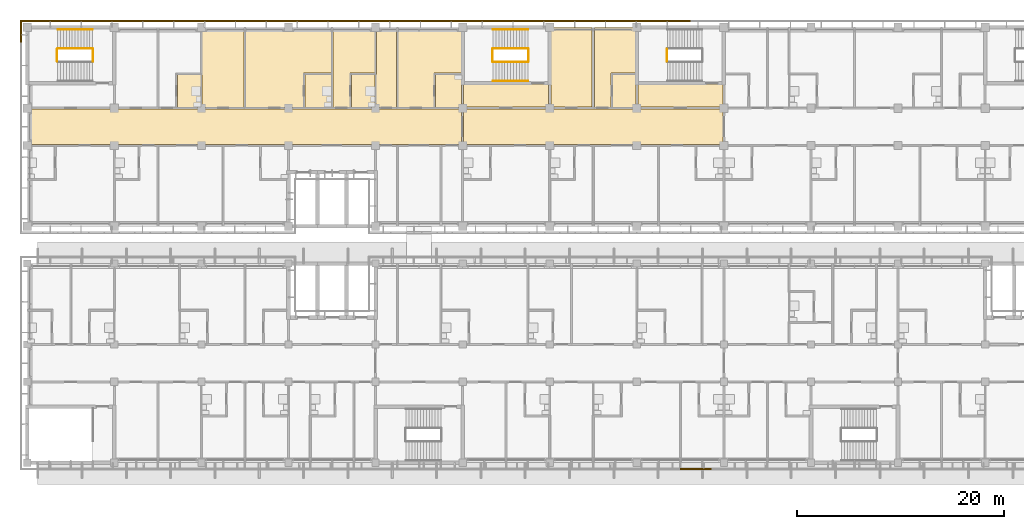
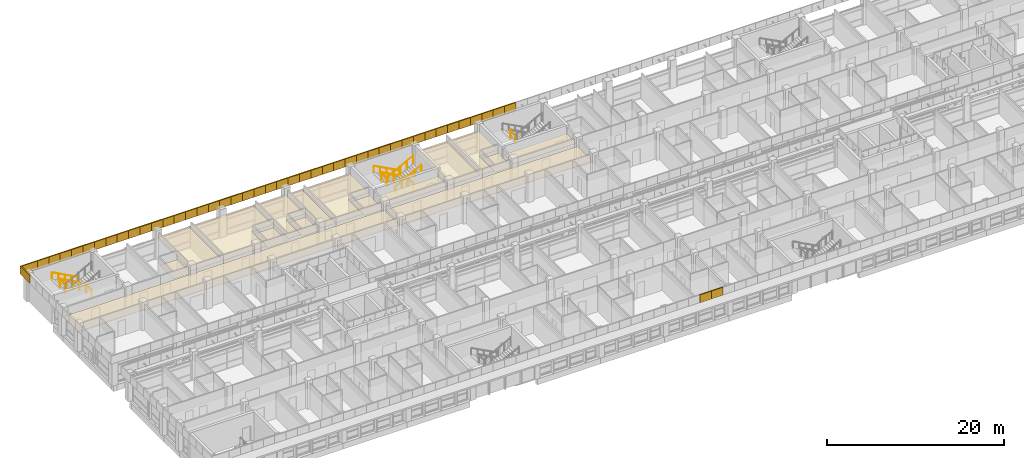
# One storey, part 65 of 71: 62 coverings, 11 railings.
"""IFC4 building model written with IfcOpenShell, lengths in metres."""

from ifc_helpers import new_model, si_unit, direction, frame, origin, origin_2d, place, context, subcontext, project, spatial, polyline, circle, outline, extrude, material, layer, layer_set, type_object, element, save


model = new_model("IFC4")

# Units and contexts
model_context = context("Model", 3, precision=1e-05, world=origin(), true_north=direction((0.0, 1.0)))
body_context = subcontext(model_context, "Body", "Model", "MODEL_VIEW")
ifc_project = project(units=[si_unit("LENGTHUNIT", "METRE"), si_unit("AREAUNIT", "SQUARE_METRE"), si_unit("VOLUMEUNIT", "CUBIC_METRE"), si_unit("PLANEANGLEUNIT", "RADIAN"), si_unit("MASSUNIT", "GRAM", prefix="KILO")], contexts=[model_context])

# Site, building, storey
site_placement = place(None, origin())
site = spatial("IfcSite", under=ifc_project, at=site_placement, CompositionType="ELEMENT")
building_placement = place(site_placement, origin())
building = spatial("IfcBuilding", under=site, at=building_placement, Name="Bougainvillea Quay General Hospital", CompositionType="ELEMENT")
storey_placement = place(building_placement, frame((0.0, 0.0, 24.89990234375)))
storey = spatial("IfcBuildingStorey", under=building, at=storey_placement, Name="L05", CompositionType="ELEMENT", Elevation=24.89990234375)

# Coverings
ifc_material_1 = material(Name="Powder-coated aluminium fascia, white", Category="aluminium")
ifc_layer_1 = layer(ifc_material_1, 0.14990234375)
ifc_layer_set_1 = layer_set([ifc_layer_1], Name="Powder-coated aluminium fascia, white")
covering_type_1 = type_object("IfcCoveringType", Name="Aluminium fascia band white 150x1100", PredefinedType="CLADDING", material=ifc_layer_set_1)
covering_1_placement = place(storey_placement, frame((105.96240234375, 160.14990234375, 3.35009765625), z_axis=(0.0, 0.0, 1.0), x_axis=(-1.0, 0.0, 0.0)))
element("IfcCovering", 1, at=covering_1_placement, inside=storey, type_object=covering_type_1, Name="Fascia band white e0 54", PredefinedType="CLADDING", context=body_context, shape_type="SweptSolid", body=[
    extrude(outline(polyline([(0.0, 0.0), (1.4873046875, 0.0), (1.4873046875, -0.150146484375), (0.0, -0.150146484375), (0.0, 0.0)])), origin(), (0.0, 0.0, 1.0), 1.10009765625),
])
for number, where, z_axis, x_axis, name in (
    (2, (104.47509765625, 160.14990234375, 3.35009765625), (0.0, 0.0, 1.0), (-1.0, 0.0, 0.0), "Fascia band white e0 55"),
    (3, (102.987548828125, 160.14990234375, 3.35009765625), (0.0, 0.0, 1.0), (-1.0, 0.0, 0.0), "Fascia band white e0 56"),
    (4, (101.5, 160.14990234375, 3.35009765625), (0.0, 0.0, 1.0), (-1.0, 0.0, 0.0), "Fascia band white e0 57"),
    (5, (100.012451171875, 160.14990234375, 3.35009765625), (0.0, 0.0, 1.0), (-1.0, 0.0, 0.0), "Fascia band white e0 58"),
):
    element("IfcCovering", number, at=place(storey_placement, frame(where, z_axis=z_axis, x_axis=x_axis)), inside=storey, type_object=covering_type_1, Name=name, PredefinedType="CLADDING", context=body_context, shape_type="SweptSolid", body=[
        extrude(outline(polyline([(0.0, 0.0), (1.487548828125, 0.0), (1.487548828125, -0.150146484375), (0.0, -0.150146484375), (0.0, 0.0)])), origin(), (0.0, 0.0, 1.0), 1.10009765625),
    ])
covering_2_placement = place(storey_placement, frame((98.52490234375, 160.14990234375, 3.35009765625), z_axis=(0.0, 0.0, 1.0), x_axis=(-1.0, 0.0, 0.0)))
element("IfcCovering", 6, at=covering_2_placement, inside=storey, type_object=covering_type_1, Name="Fascia band white e0 59", PredefinedType="CLADDING", context=body_context, shape_type="SweptSolid", body=[
    extrude(outline(polyline([(0.0, 0.0), (1.4873046875, 0.0), (1.4873046875, -0.150146484375), (0.0, -0.150146484375), (0.0, 0.0)])), origin(), (0.0, 0.0, 1.0), 1.10009765625),
])
for number, where, z_axis, x_axis, name in (
    (7, (97.03759765625, 160.14990234375, 3.35009765625), (0.0, 0.0, 1.0), (-1.0, 0.0, 0.0), "Fascia band white e0 60"),
    (8, (95.550048828125, 160.14990234375, 3.35009765625), (0.0, 0.0, 1.0), (-1.0, 0.0, 0.0), "Fascia band white e0 61"),
    (9, (94.0625, 160.14990234375, 3.35009765625), (0.0, 0.0, 1.0), (-1.0, 0.0, 0.0), "Fascia band white e0 62"),
    (10, (92.574951171875, 160.14990234375, 3.35009765625), (0.0, 0.0, 1.0), (-1.0, 0.0, 0.0), "Fascia band white e0 63"),
):
    element("IfcCovering", number, at=place(storey_placement, frame(where, z_axis=z_axis, x_axis=x_axis)), inside=storey, type_object=covering_type_1, Name=name, PredefinedType="CLADDING", context=body_context, shape_type="SweptSolid", body=[
        extrude(outline(polyline([(0.0, 0.0), (1.487548828125, 0.0), (1.487548828125, -0.150146484375), (0.0, -0.150146484375), (0.0, 0.0)])), origin(), (0.0, 0.0, 1.0), 1.10009765625),
    ])
covering_3_placement = place(storey_placement, frame((91.08740234375, 160.14990234375, 3.35009765625), z_axis=(0.0, 0.0, 1.0), x_axis=(-1.0, 0.0, 0.0)))
element("IfcCovering", 11, at=covering_3_placement, inside=storey, type_object=covering_type_1, Name="Fascia band white e0 64", PredefinedType="CLADDING", context=body_context, shape_type="SweptSolid", body=[
    extrude(outline(polyline([(0.0, 0.0), (1.4873046875, 0.0), (1.4873046875, -0.150146484375), (0.0, -0.150146484375), (0.0, 0.0)])), origin(), (0.0, 0.0, 1.0), 1.10009765625),
])
for number, where, z_axis, x_axis, name in (
    (12, (89.60009765625, 160.14990234375, 3.35009765625), (0.0, 0.0, 1.0), (-1.0, 0.0, 0.0), "Fascia band white e0 65"),
    (13, (88.112548828125, 160.14990234375, 3.35009765625), (0.0, 0.0, 1.0), (-1.0, 0.0, 0.0), "Fascia band white e0 66"),
    (14, (86.625, 160.14990234375, 3.35009765625), (0.0, 0.0, 1.0), (-1.0, 0.0, 0.0), "Fascia band white e0 67"),
    (15, (85.137451171875, 160.14990234375, 3.35009765625), (0.0, 0.0, 1.0), (-1.0, 0.0, 0.0), "Fascia band white e0 68"),
):
    element("IfcCovering", number, at=place(storey_placement, frame(where, z_axis=z_axis, x_axis=x_axis)), inside=storey, type_object=covering_type_1, Name=name, PredefinedType="CLADDING", context=body_context, shape_type="SweptSolid", body=[
        extrude(outline(polyline([(0.0, 0.0), (1.487548828125, 0.0), (1.487548828125, -0.150146484375), (0.0, -0.150146484375), (0.0, 0.0)])), origin(), (0.0, 0.0, 1.0), 1.10009765625),
    ])
covering_4_placement = place(storey_placement, frame((83.64990234375, 160.14990234375, 3.35009765625), z_axis=(0.0, 0.0, 1.0), x_axis=(-1.0, 0.0, 0.0)))
element("IfcCovering", 16, at=covering_4_placement, inside=storey, type_object=covering_type_1, Name="Fascia band white e0 69", PredefinedType="CLADDING", context=body_context, shape_type="SweptSolid", body=[
    extrude(outline(polyline([(0.0, 0.0), (1.4873046875, 0.0), (1.4873046875, -0.150146484375), (0.0, -0.150146484375), (0.0, 0.0)])), origin(), (0.0, 0.0, 1.0), 1.10009765625),
])
for number, where, z_axis, x_axis, name in (
    (17, (82.16259765625, 160.14990234375, 3.35009765625), (0.0, 0.0, 1.0), (-1.0, 0.0, 0.0), "Fascia band white e0 70"),
    (18, (80.675048828125, 160.14990234375, 3.35009765625), (0.0, 0.0, 1.0), (-1.0, 0.0, 0.0), "Fascia band white e0 71"),
    (19, (79.1875, 160.14990234375, 3.35009765625), (0.0, 0.0, 1.0), (-1.0, 0.0, 0.0), "Fascia band white e0 72"),
    (20, (77.699951171875, 160.14990234375, 3.35009765625), (0.0, 0.0, 1.0), (-1.0, 0.0, 0.0), "Fascia band white e0 73"),
):
    element("IfcCovering", number, at=place(storey_placement, frame(where, z_axis=z_axis, x_axis=x_axis)), inside=storey, type_object=covering_type_1, Name=name, PredefinedType="CLADDING", context=body_context, shape_type="SweptSolid", body=[
        extrude(outline(polyline([(0.0, 0.0), (1.487548828125, 0.0), (1.487548828125, -0.150146484375), (0.0, -0.150146484375), (0.0, 0.0)])), origin(), (0.0, 0.0, 1.0), 1.10009765625),
    ])
covering_5_placement = place(storey_placement, frame((76.21240234375, 160.14990234375, 3.35009765625), z_axis=(0.0, 0.0, 1.0), x_axis=(-1.0, 0.0, 0.0)))
element("IfcCovering", 21, at=covering_5_placement, inside=storey, type_object=covering_type_1, Name="Fascia band white e0 74", PredefinedType="CLADDING", context=body_context, shape_type="SweptSolid", body=[
    extrude(outline(polyline([(0.0, 0.0), (1.4873046875, 0.0), (1.4873046875, -0.150146484375), (0.0, -0.150146484375), (0.0, 0.0)])), origin(), (0.0, 0.0, 1.0), 1.10009765625),
])
for number, where, z_axis, x_axis, name in (
    (22, (74.72509765625, 160.14990234375, 3.35009765625), (0.0, 0.0, 1.0), (-1.0, 0.0, 0.0), "Fascia band white e0 75"),
    (23, (73.237548828125, 160.14990234375, 3.35009765625), (0.0, 0.0, 1.0), (-1.0, 0.0, 0.0), "Fascia band white e0 76"),
    (24, (71.75, 160.14990234375, 3.35009765625), (0.0, 0.0, 1.0), (-1.0, 0.0, 0.0), "Fascia band white e0 77"),
    (25, (70.262451171875, 160.14990234375, 3.35009765625), (0.0, 0.0, 1.0), (-1.0, 0.0, 0.0), "Fascia band white e0 78"),
):
    element("IfcCovering", number, at=place(storey_placement, frame(where, z_axis=z_axis, x_axis=x_axis)), inside=storey, type_object=covering_type_1, Name=name, PredefinedType="CLADDING", context=body_context, shape_type="SweptSolid", body=[
        extrude(outline(polyline([(0.0, 0.0), (1.487548828125, 0.0), (1.487548828125, -0.150146484375), (0.0, -0.150146484375), (0.0, 0.0)])), origin(), (0.0, 0.0, 1.0), 1.10009765625),
    ])
covering_6_placement = place(storey_placement, frame((68.77490234375, 160.14990234375, 3.35009765625), z_axis=(0.0, 0.0, 1.0), x_axis=(-1.0, 0.0, 0.0)))
element("IfcCovering", 26, at=covering_6_placement, inside=storey, type_object=covering_type_1, Name="Fascia band white e0 79", PredefinedType="CLADDING", context=body_context, shape_type="SweptSolid", body=[
    extrude(outline(polyline([(0.0, 0.0), (1.4873046875, 0.0), (1.4873046875, -0.150146484375), (0.0, -0.150146484375), (0.0, 0.0)])), origin(), (0.0, 0.0, 1.0), 1.10009765625),
])
for number, where, z_axis, x_axis, name in (
    (27, (67.28759765625, 160.14990234375, 3.35009765625), (0.0, 0.0, 1.0), (-1.0, 0.0, 0.0), "Fascia band white e0 80"),
    (28, (65.800048828125, 160.14990234375, 3.35009765625), (0.0, 0.0, 1.0), (-1.0, 0.0, 0.0), "Fascia band white e0 81"),
    (29, (64.3125, 160.14990234375, 3.35009765625), (0.0, 0.0, 1.0), (-1.0, 0.0, 0.0), "Fascia band white e0 82"),
    (30, (62.824951171875, 160.14990234375, 3.35009765625), (0.0, 0.0, 1.0), (-1.0, 0.0, 0.0), "Fascia band white e0 83"),
):
    element("IfcCovering", number, at=place(storey_placement, frame(where, z_axis=z_axis, x_axis=x_axis)), inside=storey, type_object=covering_type_1, Name=name, PredefinedType="CLADDING", context=body_context, shape_type="SweptSolid", body=[
        extrude(outline(polyline([(0.0, 0.0), (1.487548828125, 0.0), (1.487548828125, -0.150146484375), (0.0, -0.150146484375), (0.0, 0.0)])), origin(), (0.0, 0.0, 1.0), 1.10009765625),
    ])
covering_7_placement = place(storey_placement, frame((61.33740234375, 160.14990234375, 3.35009765625), z_axis=(0.0, 0.0, 1.0), x_axis=(-1.0, 0.0, 0.0)))
element("IfcCovering", 31, at=covering_7_placement, inside=storey, type_object=covering_type_1, Name="Fascia band white e0 84", PredefinedType="CLADDING", context=body_context, shape_type="SweptSolid", body=[
    extrude(outline(polyline([(0.0, 0.0), (1.4873046875, 0.0), (1.4873046875, -0.150146484375), (0.0, -0.150146484375), (0.0, 0.0)])), origin(), (0.0, 0.0, 1.0), 1.10009765625),
])
for number, where, z_axis, x_axis, name in (
    (32, (59.85009765625, 160.14990234375, 3.35009765625), (0.0, 0.0, 1.0), (-1.0, 0.0, 0.0), "Fascia band white e0 85"),
    (33, (58.362548828125, 160.14990234375, 3.35009765625), (0.0, 0.0, 1.0), (-1.0, 0.0, 0.0), "Fascia band white e0 86"),
    (34, (56.875, 160.14990234375, 3.35009765625), (0.0, 0.0, 1.0), (-1.0, 0.0, 0.0), "Fascia band white e0 87"),
    (35, (55.387451171875, 160.14990234375, 3.35009765625), (0.0, 0.0, 1.0), (-1.0, 0.0, 0.0), "Fascia band white e0 88"),
):
    element("IfcCovering", number, at=place(storey_placement, frame(where, z_axis=z_axis, x_axis=x_axis)), inside=storey, type_object=covering_type_1, Name=name, PredefinedType="CLADDING", context=body_context, shape_type="SweptSolid", body=[
        extrude(outline(polyline([(0.0, 0.0), (1.487548828125, 0.0), (1.487548828125, -0.150146484375), (0.0, -0.150146484375), (0.0, 0.0)])), origin(), (0.0, 0.0, 1.0), 1.10009765625),
    ])
covering_8_placement = place(storey_placement, frame((53.89990234375, 160.14990234375, 3.35009765625), z_axis=(0.0, 0.0, 1.0), x_axis=(-1.0, 0.0, 0.0)))
element("IfcCovering", 36, at=covering_8_placement, inside=storey, type_object=covering_type_1, Name="Fascia band white e0 89", PredefinedType="CLADDING", context=body_context, shape_type="SweptSolid", body=[
    extrude(outline(polyline([(0.0, 0.0), (1.4873046875, 0.0), (1.4873046875, -0.150146484375), (0.0, -0.150146484375), (0.0, 0.0)])), origin(), (0.0, 0.0, 1.0), 1.10009765625),
])
for number, where, z_axis, x_axis, name in (
    (37, (52.41259765625, 160.14990234375, 3.35009765625), (0.0, 0.0, 1.0), (-1.0, 0.0, 0.0), "Fascia band white e0 90"),
    (38, (50.925048828125, 160.14990234375, 3.35009765625), (0.0, 0.0, 1.0), (-1.0, 0.0, 0.0), "Fascia band white e0 91"),
    (39, (49.4375, 160.14990234375, 3.35009765625), (0.0, 0.0, 1.0), (-1.0, 0.0, 0.0), "Fascia band white e0 92"),
    (40, (47.949951171875, 160.14990234375, 3.35009765625), (0.0, 0.0, 1.0), (-1.0, 0.0, 0.0), "Fascia band white e0 93"),
):
    element("IfcCovering", number, at=place(storey_placement, frame(where, z_axis=z_axis, x_axis=x_axis)), inside=storey, type_object=covering_type_1, Name=name, PredefinedType="CLADDING", context=body_context, shape_type="SweptSolid", body=[
        extrude(outline(polyline([(0.0, 0.0), (1.487548828125, 0.0), (1.487548828125, -0.150146484375), (0.0, -0.150146484375), (0.0, 0.0)])), origin(), (0.0, 0.0, 1.0), 1.10009765625),
    ])
covering_9_placement = place(storey_placement, frame((46.46240234375, 160.14990234375, 3.35009765625), z_axis=(0.0, 0.0, 1.0), x_axis=(-1.0, 0.0, 0.0)))
element("IfcCovering", 41, at=covering_9_placement, inside=storey, type_object=covering_type_1, Name="Fascia band white e0 94", PredefinedType="CLADDING", context=body_context, shape_type="SweptSolid", body=[
    extrude(outline(polyline([(0.0, 0.0), (1.4873046875, 0.0), (1.4873046875, -0.150146484375), (0.0, -0.150146484375), (0.0, 0.0)])), origin(), (0.0, 0.0, 1.0), 1.10009765625),
])
covering_10_placement = place(storey_placement, frame((44.97509765625, 160.14990234375, 3.35009765625), z_axis=(0.0, 0.0, 1.0), x_axis=(-1.0, 0.0, 0.0)))
element("IfcCovering", 42, at=covering_10_placement, inside=storey, type_object=covering_type_1, Name="Fascia band white e0 95", PredefinedType="CLADDING", context=body_context, shape_type="SweptSolid", body=[
    extrude(outline(polyline([(0.0, 0.0), (1.487548828125, 0.0), (1.487548828125, -0.150146484375), (0.0, -0.150146484375), (0.0, 0.0)])), origin(), (0.0, 0.0, 1.0), 1.10009765625),
])
covering_11_placement = place(storey_placement, frame((43.487548828125, 160.14990234375, 3.35009765625), z_axis=(0.0, 0.0, 1.0), x_axis=(-1.0, 0.0, 0.0)))
element("IfcCovering", 43, at=covering_11_placement, inside=storey, type_object=covering_type_1, Name="Fascia band white e0 96", PredefinedType="CLADDING", context=body_context, shape_type="SweptSolid", body=[
    extrude(outline(polyline([(0.0, 0.0), (2.03759765625, 0.0), (2.1875, -0.150146484375), (0.0, -0.150146484375), (0.0, 0.0)])), origin(), (0.0, 0.0, 1.0), 1.10009765625),
])
covering_12_placement = place(storey_placement, frame((41.449951171875, 160.14990234375, 3.35009765625), z_axis=(0.0, 0.0, 1.0), x_axis=(0.0, -1.0, 0.0)))
element("IfcCovering", 44, at=covering_12_placement, inside=storey, type_object=covering_type_1, Name="Fascia band white e0 97", PredefinedType="CLADDING", context=body_context, shape_type="SweptSolid", body=[
    extrude(outline(polyline([(0.0, 0.0), (2.02685546875, 0.0), (2.02685546875, -0.14990234375), (-0.150146484375, -0.14990234375), (0.0, 0.0)])), origin(), (0.0, 0.0, 1.0), 1.10009765625),
])
for number, where, z_axis, x_axis, name in (
    (45, (105.0, 117.050048828125, 3.35009765625), (0.0, 0.0, 1.0), (1.0, 0.0, 0.0), "Fascia band white e0 56"),
    (46, (106.5, 117.050048828125, 3.35009765625), (0.0, 0.0, 1.0), (1.0, 0.0, 0.0), "Fascia band white e0 57"),
):
    element("IfcCovering", number, at=place(storey_placement, frame(where, z_axis=z_axis, x_axis=x_axis)), inside=storey, type_object=covering_type_1, Name=name, PredefinedType="CLADDING", context=body_context, shape_type="SweptSolid", body=[
        extrude(outline(polyline([(0.0, 0.0), (1.5, 0.0), (1.5, -0.150146484375), (0.0, -0.150146484375), (0.0, 0.0)])), origin(), (0.0, 0.0, 1.0), 1.10009765625),
    ])

# Railings
ifc_material_2 = material(Name="Stainless steel 304 balustrade", Category="steel")
railing_type_1 = type_object("IfcRailingType", Name="Stair guard 1100", PredefinedType="GUARDRAIL", material=ifc_material_2)
railing_1_placement = place(storey_placement, frame((48.300048828125, 157.550048828125, 0.150146484375)))
element("IfcRailing", 47, at=railing_1_placement, inside=storey, type_object=railing_type_1, Name="L05 ST-A1 stair guard 1", PredefinedType="GUARDRAIL", context=body_context, shape_type="SweptSolid", body=[
    extrude(circle(Radius=0.02392578125, at=origin_2d()), frame((0.0, 0.0, 1.076171875), z_axis=(-0.881480922165, 0.0, 0.47221963519), x_axis=(0.0, -1.0, 0.0)), (0.0, 0.0, 1.0), 3.811767578125),
    extrude(circle(Radius=0.02099609375, at=origin_2d()), origin(), (0.0, 0.0, 1.0), 1.052001953125),
    extrude(circle(Radius=0.02099609375, at=origin_2d()), frame((-0.840087890625, 0.0, 0.449951171875)), (0.0, 0.0, 1.0), 1.052001953125),
    extrude(circle(Radius=0.02099609375, at=origin_2d()), frame((-1.68017578125, 0.0, 0.89990234375)), (0.0, 0.0, 1.0), 1.052001953125),
    extrude(circle(Radius=0.02099609375, at=origin_2d()), frame((-2.52001953125, 0.0, 1.35009765625)), (0.0, 0.0, 1.0), 1.052001953125),
    extrude(circle(Radius=0.02099609375, at=origin_2d()), frame((-3.360107421875, 0.0, 1.800048828125)), (0.0, 0.0, 1.0), 1.052001953125),
])
for number, where, name in (
    (48, (44.889892578125, 157.5, 1.9501953125), "L05 ST-A1 stair guard 2"),
    (49, (48.35009765625, 157.5, 0.0), "L05 ST-A1 stair guard 4"),
):
    element("IfcRailing", number, at=place(storey_placement, frame(where)), inside=storey, type_object=railing_type_1, Name=name, PredefinedType="GUARDRAIL", context=body_context, shape_type="SweptSolid", body=[
        extrude(circle(Radius=0.02392578125, at=origin_2d()), frame((0.0, 0.0, 1.076171875), z_axis=(0.0, -1.0, 0.0), x_axis=(1.0, 0.0, 0.0)), (0.0, 0.0, 1.0), 1.199951171875),
        extrude(circle(Radius=0.02099609375, at=origin_2d()), origin(), (0.0, 0.0, 1.0), 1.052001953125),
        extrude(circle(Radius=0.02099609375, at=origin_2d()), frame((0.0, -1.199951171875, 0.0)), (0.0, 0.0, 1.0), 1.052001953125),
    ])
railing_2_placement = place(storey_placement, frame((90.300048828125, 157.550048828125, 0.150146484375)))
element("IfcRailing", 50, at=railing_2_placement, inside=storey, type_object=railing_type_1, Name="L05 ST-A2 stair guard 1", PredefinedType="GUARDRAIL", context=body_context, shape_type="SweptSolid", body=[
    extrude(circle(Radius=0.02392578125, at=origin_2d()), frame((0.0, 0.0, 1.076171875), z_axis=(-0.881480922165, 0.0, 0.47221963519), x_axis=(0.0, -1.0, 0.0)), (0.0, 0.0, 1.0), 3.811767578125),
    extrude(circle(Radius=0.02099609375, at=origin_2d()), origin(), (0.0, 0.0, 1.0), 1.052001953125),
    extrude(circle(Radius=0.02099609375, at=origin_2d()), frame((-0.840087890625, 0.0, 0.449951171875)), (0.0, 0.0, 1.0), 1.052001953125),
    extrude(circle(Radius=0.02099609375, at=origin_2d()), frame((-1.68017578125, 0.0, 0.89990234375)), (0.0, 0.0, 1.0), 1.052001953125),
    extrude(circle(Radius=0.02099609375, at=origin_2d()), frame((-2.52001953125, 0.0, 1.35009765625)), (0.0, 0.0, 1.0), 1.052001953125),
    extrude(circle(Radius=0.02099609375, at=origin_2d()), frame((-3.360107421875, 0.0, 1.800048828125)), (0.0, 0.0, 1.0), 1.052001953125),
])
railing_3_placement = place(storey_placement, frame((86.889892578125, 157.5, 1.9501953125)))
element("IfcRailing", 51, at=railing_3_placement, inside=storey, type_object=railing_type_1, Name="L05 ST-A2 stair guard 2", PredefinedType="GUARDRAIL", context=body_context, shape_type="SweptSolid", body=[
    extrude(circle(Radius=0.02392578125, at=origin_2d()), frame((0.0, 0.0, 1.076171875), z_axis=(0.0, -1.0, 0.0), x_axis=(1.0, 0.0, 0.0)), (0.0, 0.0, 1.0), 1.199951171875),
    extrude(circle(Radius=0.02099609375, at=origin_2d()), origin(), (0.0, 0.0, 1.0), 1.052001953125),
    extrude(circle(Radius=0.02099609375, at=origin_2d()), frame((0.0, -1.199951171875, 0.0)), (0.0, 0.0, 1.0), 1.052001953125),
])
railing_4_placement = place(storey_placement, frame((86.93994140625, 156.25, 2.10009765625)))
element("IfcRailing", 52, at=railing_4_placement, inside=storey, type_object=railing_type_1, Name="L05 ST-A2 stair guard 3", PredefinedType="GUARDRAIL", context=body_context, shape_type="SweptSolid", body=[
    extrude(circle(Radius=0.02392578125, at=origin_2d()), frame((0.0, 0.0, 1.076171875), z_axis=(0.881480922165, 0.0, 0.47221963519), x_axis=(0.0, 1.0, 0.0)), (0.0, 0.0, 1.0), 3.811767578125),
    extrude(circle(Radius=0.02099609375, at=origin_2d()), origin(), (0.0, 0.0, 1.0), 1.052001953125),
    extrude(circle(Radius=0.02099609375, at=origin_2d()), frame((0.840087890625, 0.0, 0.449951171875)), (0.0, 0.0, 1.0), 1.052001953125),
    extrude(circle(Radius=0.02099609375, at=origin_2d()), frame((1.68017578125, 0.0, 0.89990234375)), (0.0, 0.0, 1.0), 1.052001953125),
    extrude(circle(Radius=0.02099609375, at=origin_2d()), frame((2.52001953125, 0.0, 1.35009765625)), (0.0, 0.0, 1.0), 1.052001953125),
    extrude(circle(Radius=0.02099609375, at=origin_2d()), frame((3.360107421875, 0.0, 1.800048828125)), (0.0, 0.0, 1.0), 1.052001953125),
])
for number, where, name in (
    (53, (90.35009765625, 157.5, 0.0), "L05 ST-A2 stair guard 4"),
    (54, (103.68994140625, 157.5, 1.9501953125), "L05 ST-A5 stair guard 2"),
):
    element("IfcRailing", number, at=place(storey_placement, frame(where)), inside=storey, type_object=railing_type_1, Name=name, PredefinedType="GUARDRAIL", context=body_context, shape_type="SweptSolid", body=[
        extrude(circle(Radius=0.02392578125, at=origin_2d()), frame((0.0, 0.0, 1.076171875), z_axis=(0.0, -1.0, 0.0), x_axis=(1.0, 0.0, 0.0)), (0.0, 0.0, 1.0), 1.199951171875),
        extrude(circle(Radius=0.02099609375, at=origin_2d()), origin(), (0.0, 0.0, 1.0), 1.052001953125),
        extrude(circle(Radius=0.02099609375, at=origin_2d()), frame((0.0, -1.199951171875, 0.0)), (0.0, 0.0, 1.0), 1.052001953125),
    ])
ifc_material_3 = material(Name="Stainless steel 304 handrail", Category="steel")
railing_type_2 = type_object("IfcRailingType", Name="Stair handrail 900", PredefinedType="HANDRAIL", material=ifc_material_3)
for number, where, name in (
    (55, (48.300048828125, 159.375, 0.150146484375), "L05 ST-A1 stair handrail 1"),
    (56, (90.300048828125, 159.375, 0.150146484375), "L05 ST-A2 stair handrail 1"),
):
    element("IfcRailing", number, at=place(storey_placement, frame(where)), inside=storey, type_object=railing_type_2, Name=name, PredefinedType="HANDRAIL", context=body_context, shape_type="SweptSolid", body=[
        extrude(circle(Radius=0.02392578125, at=origin_2d()), frame((0.0, 0.0, 0.8759765625), z_axis=(-0.881480922165, 0.0, 0.47221963519), x_axis=(0.0, -1.0, 0.0)), (0.0, 0.0, 1.0), 3.811767578125),
        extrude(circle(Radius=0.02099609375, at=origin_2d()), origin(), (0.0, 0.0, 1.0), 0.851806640625),
        extrude(circle(Radius=0.02099609375, at=origin_2d()), frame((-0.840087890625, 0.0, 0.449951171875)), (0.0, 0.0, 1.0), 0.851806640625),
        extrude(circle(Radius=0.02099609375, at=origin_2d()), frame((-1.68017578125, 0.0, 0.89990234375)), (0.0, 0.0, 1.0), 0.851806640625),
        extrude(circle(Radius=0.02099609375, at=origin_2d()), frame((-2.52001953125, 0.0, 1.35009765625)), (0.0, 0.0, 1.0), 0.851806640625),
        extrude(circle(Radius=0.02099609375, at=origin_2d()), frame((-3.360107421875, 0.0, 1.800048828125)), (0.0, 0.0, 1.0), 0.851806640625),
    ])
railing_5_placement = place(storey_placement, frame((86.93994140625, 154.425048828125, 2.10009765625)))
element("IfcRailing", 57, at=railing_5_placement, inside=storey, type_object=railing_type_2, Name="L05 ST-A2 stair handrail 2", PredefinedType="HANDRAIL", context=body_context, shape_type="SweptSolid", body=[
    extrude(circle(Radius=0.02392578125, at=origin_2d()), frame((0.0, 0.0, 0.8759765625), z_axis=(0.881480922165, 0.0, 0.47221963519), x_axis=(0.0, 1.0, 0.0)), (0.0, 0.0, 1.0), 3.811767578125),
    extrude(circle(Radius=0.02099609375, at=origin_2d()), origin(), (0.0, 0.0, 1.0), 0.851806640625),
    extrude(circle(Radius=0.02099609375, at=origin_2d()), frame((0.840087890625, 0.0, 0.449951171875)), (0.0, 0.0, 1.0), 0.851806640625),
    extrude(circle(Radius=0.02099609375, at=origin_2d()), frame((1.68017578125, 0.0, 0.89990234375)), (0.0, 0.0, 1.0), 0.851806640625),
    extrude(circle(Radius=0.02099609375, at=origin_2d()), frame((2.52001953125, 0.0, 1.35009765625)), (0.0, 0.0, 1.0), 0.851806640625),
    extrude(circle(Radius=0.02099609375, at=origin_2d()), frame((3.360107421875, 0.0, 1.800048828125)), (0.0, 0.0, 1.0), 0.851806640625),
])

# Coverings
ifc_material_4 = material(Name="Mineral fibre ceiling tile")
ifc_layer_2 = layer(ifc_material_4, 0.030029296875)
ifc_layer_set_2 = layer_set([ifc_layer_2], Name="Mineral fibre ceiling tile")
covering_type_2 = type_object("IfcCoveringType", Name="Suspended ceiling mineral fibre tile", PredefinedType="CEILING", material=ifc_layer_set_2)
covering_13_placement = place(storey_placement, frame((0.0, 0.0, 2.7001953125)))
element("IfcCovering", 58, at=covering_13_placement, inside=storey, type_object=covering_type_2, Name="Ceiling Refuge Room RR-A2-L05", PredefinedType="CEILING", context=body_context, shape_type="SweptSolid", body=[
    extrude(outline(polyline([(92.5, 159.60009765625), (92.5, 151.89990234375), (96.5, 151.89990234375), (96.5, 159.60009765625), (92.5, 159.60009765625)])), origin(), (0.0, 0.0, 1.0), 0.02978515625),
])
covering_14_placement = place(storey_placement, frame((0.0, 0.0, 2.7001953125)))
element("IfcCovering", 59, at=covering_14_placement, inside=storey, type_object=covering_type_2, Name="Ceiling Smoke-proof Vestibule ST-A2", PredefinedType="CEILING", context=body_context, shape_type="SweptSolid", body=[
    extrude(outline(polyline([(84.10009765625, 154.10009765625), (84.10009765625, 151.89990234375), (92.300048828125, 151.89990234375), (92.300048828125, 154.10009765625), (84.10009765625, 154.10009765625)])), origin(), (0.0, 0.0, 1.0), 0.02978515625),
])
covering_15_placement = place(storey_placement, frame((0.0, 0.0, 2.7001953125)))
element("IfcCovering", 60, at=covering_15_placement, inside=storey, type_object=covering_type_2, Name="Ceiling Smoke-proof Vestibule ST-A5", PredefinedType="CEILING", context=body_context, shape_type="SweptSolid", body=[
    extrude(outline(polyline([(109.10009765625, 151.89990234375), (109.10009765625, 154.10009765625), (100.89990234375, 154.10009765625), (100.89990234375, 151.89990234375), (109.10009765625, 151.89990234375)])), origin(), (0.0, 0.0, 1.0), 0.02978515625),
])
covering_16_placement = place(storey_placement, frame((0.0, 0.0, 2.400146484375)))
element("IfcCovering", 61, at=covering_16_placement, inside=storey, type_object=covering_type_2, Name="Ceiling En-suite 05A05", PredefinedType="CEILING", context=body_context, shape_type="SweptSolid", body=[
    extrude(outline(polyline([(58.75, 151.875), (58.75, 155.02490234375), (56.47509765625, 155.02490234375), (56.47509765625, 151.875), (58.75, 151.875)])), origin(), (0.0, 0.0, 1.0), 0.030029296875),
])
covering_17_placement = place(storey_placement, frame((0.0, 0.0, 2.7001953125)))
element("IfcCovering", 62, at=covering_17_placement, inside=storey, type_object=covering_type_2, Name="Ceiling Treatment and Clean Utility Room 05A06", PredefinedType="CEILING", context=body_context, shape_type="SweptSolid", body=[
    extrude(outline(polyline([(58.875, 159.60009765625), (58.875, 155.02490234375), (58.85009765625, 155.02490234375), (58.85009765625, 151.875), (62.925048828125, 151.875), (62.925048828125, 159.60009765625), (58.875, 159.60009765625)])), origin(), (0.0, 0.0, 1.0), 0.02978515625),
])
covering_18_placement = place(storey_placement, frame((0.0, 0.0, 2.7001953125)))
element("IfcCovering", 63, at=covering_18_placement, inside=storey, type_object=covering_type_2, Name="Ceiling Four-bed Ward Room 05A07", PredefinedType="CEILING", context=body_context, shape_type="SweptSolid", body=[
    extrude(outline(polyline([(63.074951171875, 159.60009765625), (63.074951171875, 151.875), (68.625, 151.875), (68.625, 155.175048828125), (71.324951171875, 155.175048828125), (71.324951171875, 159.60009765625), (63.074951171875, 159.60009765625)])), origin(), (0.0, 0.0, 1.0), 0.02978515625),
])
covering_19_placement = place(storey_placement, frame((0.0, 0.0, 2.400146484375)))
element("IfcCovering", 64, at=covering_19_placement, inside=storey, type_object=covering_type_2, Name="Ceiling En-suite 05A07", PredefinedType="CEILING", context=body_context, shape_type="SweptSolid", body=[
    extrude(outline(polyline([(68.77490234375, 155.02490234375), (68.77490234375, 151.875), (71.324951171875, 151.875), (71.324951171875, 155.02490234375), (68.77490234375, 155.02490234375)])), origin(), (0.0, 0.0, 1.0), 0.030029296875),
])
covering_20_placement = place(storey_placement, frame((0.0, 0.0, 2.7001953125)))
element("IfcCovering", 65, at=covering_20_placement, inside=storey, type_object=covering_type_2, Name="Ceiling Patient Room 05A08", PredefinedType="CEILING", context=body_context, shape_type="SweptSolid", body=[
    extrude(outline(polyline([(71.47509765625, 159.60009765625), (71.47509765625, 151.875), (73.125, 151.875), (73.125, 155.175048828125), (75.52490234375, 155.175048828125), (75.52490234375, 159.60009765625), (71.47509765625, 159.60009765625)])), origin(), (0.0, 0.0, 1.0), 0.02978515625),
])
covering_21_placement = place(storey_placement, frame((0.0, 0.0, 2.400146484375)))
element("IfcCovering", 66, at=covering_21_placement, inside=storey, type_object=covering_type_2, Name="Ceiling En-suite 05A08", PredefinedType="CEILING", context=body_context, shape_type="SweptSolid", body=[
    extrude(outline(polyline([(75.550048828125, 155.02490234375), (73.27490234375, 155.02490234375), (73.27490234375, 151.875), (75.550048828125, 151.875), (75.550048828125, 155.02490234375)])), origin(), (0.0, 0.0, 1.0), 0.030029296875),
])
covering_22_placement = place(storey_placement, frame((0.0, 0.0, 2.7001953125)))
element("IfcCovering", 67, at=covering_22_placement, inside=storey, type_object=covering_type_2, Name="Ceiling Dirty Utility and Sluice Room 05A09", PredefinedType="CEILING", context=body_context, shape_type="SweptSolid", body=[
    extrude(outline(polyline([(75.675048828125, 159.60009765625), (75.675048828125, 155.02490234375), (75.64990234375, 155.02490234375), (75.64990234375, 151.875), (77.625, 151.875), (77.625, 159.60009765625), (75.675048828125, 159.60009765625)])), origin(), (0.0, 0.0, 1.0), 0.02978515625),
])
covering_23_placement = place(storey_placement, frame((0.0, 0.0, 2.7001953125)))
element("IfcCovering", 68, at=covering_23_placement, inside=storey, type_object=covering_type_2, Name="Ceiling Two-bed Patient Room 05A10", PredefinedType="CEILING", context=body_context, shape_type="SweptSolid", body=[
    extrude(outline(polyline([(77.77490234375, 159.60009765625), (77.77490234375, 151.875), (81.22509765625, 151.875), (81.22509765625, 155.175048828125), (83.925048828125, 155.175048828125), (83.925048828125, 159.60009765625), (77.77490234375, 159.60009765625)])), origin(), (0.0, 0.0, 1.0), 0.02978515625),
])
covering_24_placement = place(storey_placement, frame((0.0, 0.0, 2.400146484375)))
element("IfcCovering", 69, at=covering_24_placement, inside=storey, type_object=covering_type_2, Name="Ceiling En-suite 05A10", PredefinedType="CEILING", context=body_context, shape_type="SweptSolid", body=[
    extrude(outline(polyline([(83.949951171875, 154.300048828125), (83.949951171875, 155.02490234375), (81.375, 155.02490234375), (81.375, 151.875), (83.89990234375, 151.875), (83.89990234375, 154.300048828125), (83.949951171875, 154.300048828125)])), origin(), (0.0, 0.0, 1.0), 0.030029296875),
])
covering_25_placement = place(storey_placement, frame((0.0, 0.0, 2.7001953125)))
element("IfcCovering", 70, at=covering_25_placement, inside=storey, type_object=covering_type_2, Name="Ceiling Patient Room 05A16", PredefinedType="CEILING", context=body_context, shape_type="SweptSolid", body=[
    extrude(outline(polyline([(96.699951171875, 159.60009765625), (96.699951171875, 151.875), (98.324951171875, 151.875), (98.324951171875, 155.175048828125), (100.72509765625, 155.175048828125), (100.72509765625, 159.60009765625), (96.699951171875, 159.60009765625)])), origin(), (0.0, 0.0, 1.0), 0.02978515625),
])
covering_26_placement = place(storey_placement, frame((0.0, 0.0, 2.400146484375)))
element("IfcCovering", 71, at=covering_26_placement, inside=storey, type_object=covering_type_2, Name="Ceiling En-suite 05A16", PredefinedType="CEILING", context=body_context, shape_type="SweptSolid", body=[
    extrude(outline(polyline([(100.75, 155.02490234375), (98.47509765625, 155.02490234375), (98.47509765625, 151.875), (100.699951171875, 151.875), (100.699951171875, 154.300048828125), (100.75, 154.300048828125), (100.75, 155.02490234375)])), origin(), (0.0, 0.0, 1.0), 0.030029296875),
])
covering_27_placement = place(storey_placement, frame((0.0, 0.0, 2.400146484375)))
element("IfcCovering", 72, at=covering_27_placement, inside=storey, type_object=covering_type_2, Name="Ceiling Ward Corridor A1", PredefinedType="CEILING", context=body_context, shape_type="SweptSolid", body=[
    extrude(outline(polyline([(42.0, 148.27490234375), (67.10009765625, 148.27490234375), (67.10009765625, 148.300048828125), (75.699951171875, 148.300048828125), (75.699951171875, 148.27490234375), (83.89990234375, 148.27490234375), (83.89990234375, 151.72509765625), (54.699951171875, 151.72509765625), (54.699951171875, 151.699951171875), (42.0, 151.699951171875), (42.0, 148.27490234375)])), origin(), (0.0, 0.0, 1.0), 0.030029296875),
])
covering_28_placement = place(storey_placement, frame((0.0, 0.0, 2.400146484375)))
element("IfcCovering", 73, at=covering_28_placement, inside=storey, type_object=covering_type_2, Name="Ceiling Ward Corridor A2", PredefinedType="CEILING", context=body_context, shape_type="SweptSolid", body=[
    extrude(outline(polyline([(109.10009765625, 151.699951171875), (100.699951171875, 151.699951171875), (100.699951171875, 151.72509765625), (96.699951171875, 151.72509765625), (96.699951171875, 151.699951171875), (84.10009765625, 151.699951171875), (84.10009765625, 148.27490234375), (109.10009765625, 148.27490234375), (109.10009765625, 151.699951171875)])), origin(), (0.0, 0.0, 1.0), 0.030029296875),
])

save(model, "model.ifc")
